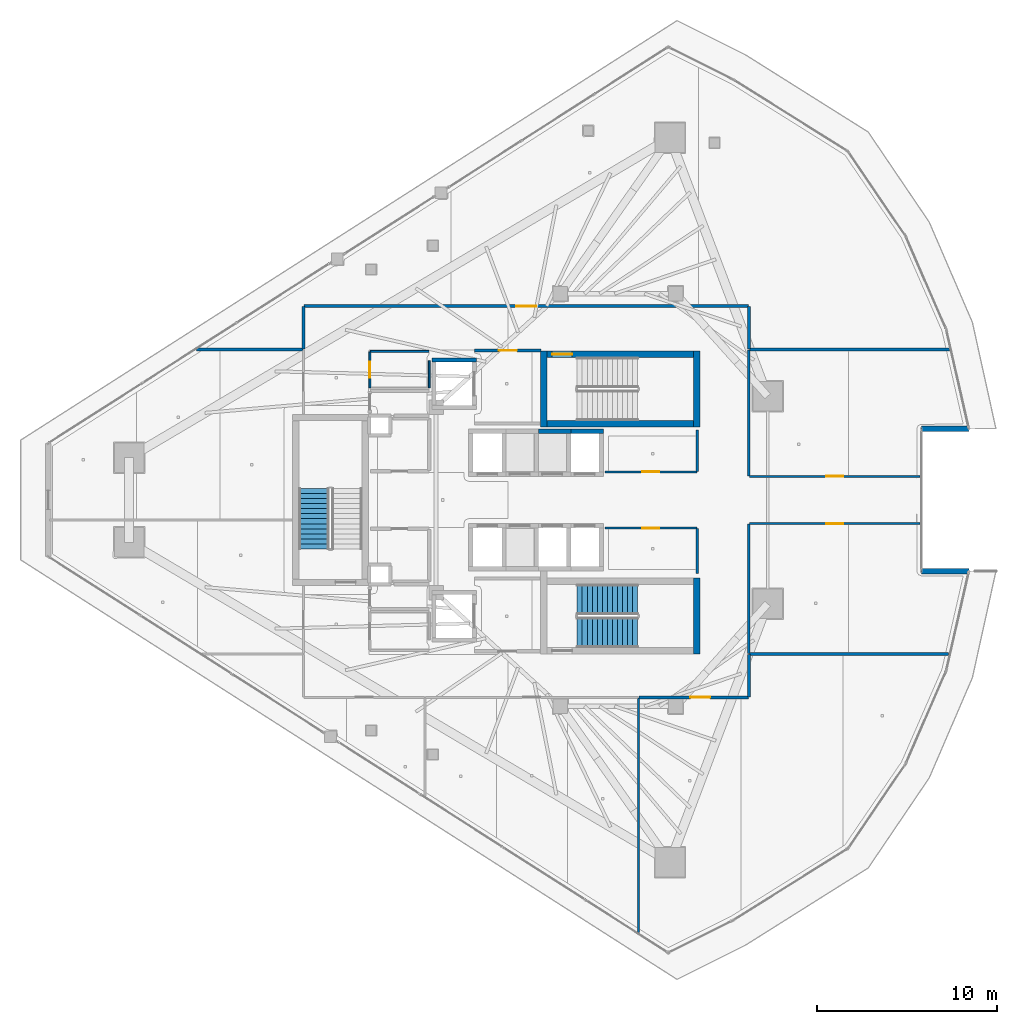
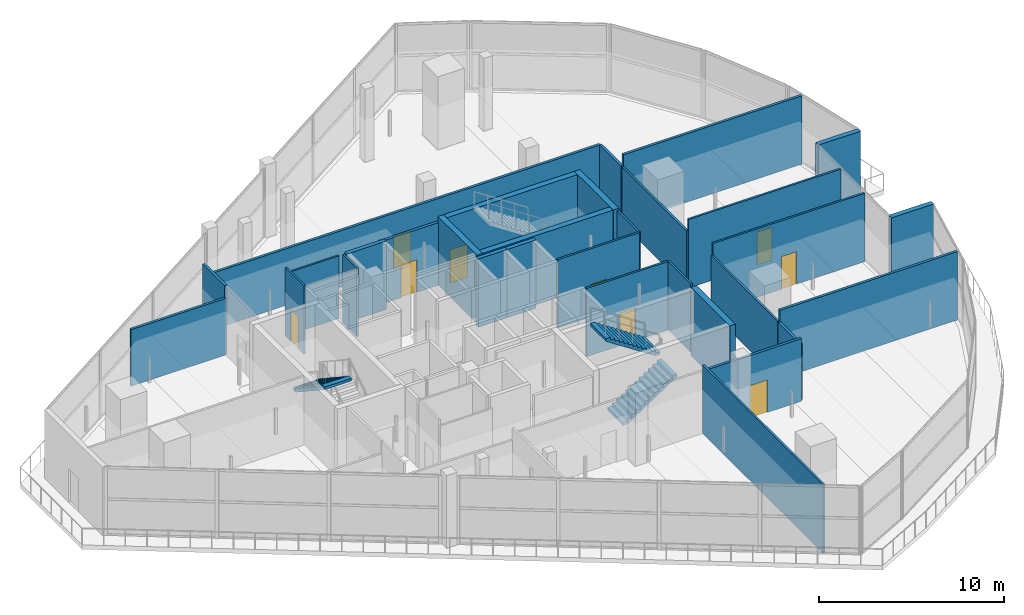
# One storey, part 27 of 36: 31 walls, 9 doors, 3 stair flights, 9 openings, 2 elements without a shape of their own.
"""IFC4 building model written with IfcOpenShell, lengths in metres."""

from ifc_helpers import new_model, si_unit, direction, frame, frame_2d, origin, place, context, subcontext, project, spatial, polyline, rectangle, outline, extrude, material, layer, layer_set, type_object, element, fill, aggregate, save


model = new_model("IFC4")

# Units and contexts
model_context = context("Model", 3, precision=1e-05, world=origin(), true_north=direction((0.0, 1.0)))
body_context = subcontext(model_context, "Body", "Model", "MODEL_VIEW")
ifc_project = project(units=[si_unit("LENGTHUNIT", "METRE"), si_unit("AREAUNIT", "SQUARE_METRE"), si_unit("VOLUMEUNIT", "CUBIC_METRE"), si_unit("PLANEANGLEUNIT", "RADIAN"), si_unit("MASSUNIT", "GRAM", prefix="KILO")], contexts=[model_context])

# Site, building, storey
site_placement = place(None, origin())
site = spatial("IfcSite", under=ifc_project, at=site_placement, CompositionType="ELEMENT")
building_placement = place(site_placement, origin())
building = spatial("IfcBuilding", under=site, at=building_placement, Name="Qorvath Tower", CompositionType="ELEMENT")
storey_placement = place(building_placement, frame((0.0, 0.0, 255.0)))
storey = spatial("IfcBuildingStorey", under=building, at=storey_placement, Name="L59", CompositionType="ELEMENT", Elevation=255.0)

# Wall, opening, door
ifc_material_1 = material(Name="Gypsum shaftliner on steel studs", Category="steel")
ifc_layer_1 = layer(ifc_material_1, 0.179931640625)
ifc_layer_set_1 = layer_set([ifc_layer_1], Name="FW-LOBBY")
wall_type_1 = type_object("IfcWallType", Name="FW-LOBBY", PredefinedType="PARTITIONING", material=ifc_layer_set_1)
wall_1_placement = place(storey_placement, frame((-24.68408203125, 8.300048828125, 0.0), z_axis=(0.0, 0.0, 1.0), x_axis=(-1.0, 0.0, 0.0)))
wall_1 = element("IfcWall", 1, at=wall_1_placement, inside=storey, type_object=wall_type_1, Name="Interior Partition IW-T1-L59-002", PredefinedType="PARTITIONING", context=body_context, shape_type="SweptSolid", body=[
    extrude(rectangle(XDim=3.6708984375, YDim=0.179931640625, at=frame_2d((1.83544921875, 0.0))), origin(), (0.0, 0.0, 1.0), 4.12890625),
])
opening_1_placement = place(wall_1_placement, frame((1.33544921875, 0.0, 0.0)))
opening_1 = element("IfcOpeningElement", 2, at=opening_1_placement, cuts=wall_1, Name="Opening D-T1-L59-17", PredefinedType="OPENING", context=body_context, shape_type="SweptSolid", body=[
    extrude(rectangle(XDim=1.0, YDim=2.14990234375, at=frame_2d((0.5, 1.074951171875))), frame((0.0, 0.10009765625, 0.0), z_axis=(0.0, -1.0, 0.0), x_axis=(1.0, 0.0, 0.0)), (0.0, 0.0, 1.0), 0.199951171875),
])
ifc_material_2 = material(Name="Painted galvanised hollow metal", Category="steel")
door_type_1 = type_object("IfcDoorType", Name="FD-60", OperationType="NOTDEFINED", PredefinedType="DOOR", material=ifc_material_2)
door_1_placement = place(opening_1_placement, origin())
door_1 = element("IfcDoor", 3, at=door_1_placement, inside=storey, type_object=door_type_1, Name="Lobby Fire Service Elevator North Door D-T1-L59-17", OperationType="SINGLE_SWING_LEFT", OverallHeight=2.14990234375, OverallWidth=1.0, PredefinedType="DOOR", context=body_context, shape_type="SweptSolid", body=[
    extrude(rectangle(XDim=1.0, YDim=2.14990234375, at=frame_2d((0.5, 1.074951171875))), frame((0.0, 0.02490234375, 0.0), z_axis=(0.0, -1.0, 0.0), x_axis=(1.0, 0.0, 0.0)), (0.0, 0.0, 1.0), 0.050048828125),
])
fill(opening_1, door_1)

# Walls
ifc_material_3 = material(Name="Double acoustic gypsum board on steel studs", Category="steel")
ifc_layer_2 = layer(ifc_material_3, 0.159912109375)
ifc_layer_set_2 = layer_set([ifc_layer_2], Name="IW-ACOUSTIC-160")
wall_type_2 = type_object("IfcWallType", Name="IW-ACOUSTIC-160", PredefinedType="PARTITIONING", material=ifc_layer_set_2)
wall_2_placement = place(storey_placement, frame((-43.807861328125, 8.35009765625, 0.0), z_axis=(0.0, 0.0, 1.0), x_axis=(1.0, 0.0, 0.0)))
element("IfcWall", 4, at=wall_2_placement, inside=storey, type_object=wall_type_2, Name="Interior Partition IW-T1-L59-029", PredefinedType="PARTITIONING", context=body_context, shape_type="SweptSolid", body=[
    extrude(rectangle(XDim=5.925048828125, YDim=0.159912109375, at=frame_2d((2.96240234375, 0.0))), origin(), (0.0, 0.0, 1.0), 3.72998046875),
])
wall_3_placement = place(storey_placement, frame((-37.85791015625, 10.733154296875, 0.0), z_axis=(0.0, 0.0, 1.0), x_axis=(0.0, -1.0, 0.0)))
element("IfcWall", 5, at=wall_3_placement, inside=storey, type_object=wall_type_2, Name="Interior Partition IW-T1-L59-030", PredefinedType="PARTITIONING", context=body_context, shape_type="SweptSolid", body=[
    extrude(rectangle(XDim=2.358154296875, YDim=0.159912109375, at=frame_2d((1.17919921875, 0.0))), origin(), (0.0, 0.0, 1.0), 4.510009765625),
])

# Wall, opening, door
wall_4_placement = place(storey_placement, frame((-37.8330078125, 10.758056640625, 0.0), z_axis=(0.0, 0.0, 1.0), x_axis=(1.0, 0.0, 0.0)))
wall_4 = element("IfcWall", 6, at=wall_4_placement, inside=storey, type_object=wall_type_2, Name="Interior Partition IW-T1-L59-031", PredefinedType="PARTITIONING", context=body_context, shape_type="SweptSolid", body=[
    extrude(rectangle(XDim=24.666015625, YDim=0.159912109375, at=frame_2d((12.3330078125, 0.0))), origin(), (0.0, 0.0, 1.0), 3.72998046875),
])
opening_2_placement = place(wall_4_placement, frame((11.782958984375, 0.0, 0.0)))
opening_2 = element("IfcOpeningElement", 7, at=opening_2_placement, cuts=wall_4, Name="Opening D-T1-L59-07", PredefinedType="OPENING", context=body_context, shape_type="SweptSolid", body=[
    extrude(rectangle(XDim=1.10009765625, YDim=2.14990234375, at=frame_2d((0.550048828125, 1.074951171875))), frame((0.0, 0.08984375, 0.0), z_axis=(0.0, -1.0, 0.0), x_axis=(1.0, 0.0, 0.0)), (0.0, 0.0, 1.0), 0.179931640625),
])
ifc_material_4 = material(Name="Anodised aluminium acoustic framed glass", Category="aluminium")
door_type_2 = type_object("IfcDoorType", Name="D-03", OperationType="NOTDEFINED", PredefinedType="DOOR", material=ifc_material_4)
door_2_placement = place(opening_2_placement, origin())
door_2 = element("IfcDoor", 8, at=door_2_placement, inside=storey, type_object=door_type_2, Name="L59-01 Sky Enclosed Conference Suite Door D-T1-L59-07", OperationType="SINGLE_SWING_LEFT", OverallHeight=2.14990234375, OverallWidth=1.10009765625, PredefinedType="DOOR", context=body_context, shape_type="SweptSolid", body=[
    extrude(rectangle(XDim=1.10009765625, YDim=2.14990234375, at=frame_2d((0.550048828125, 1.074951171875))), frame((0.0, 0.02490234375, 0.0), z_axis=(0.0, -1.0, 0.0), x_axis=(1.0, 0.0, 0.0)), (0.0, 0.0, 1.0), 0.050048828125),
])
fill(opening_2, door_2)

# Walls
wall_5_placement = place(storey_placement, frame((-13.14208984375, 8.375, 0.0), z_axis=(0.0, 0.0, 1.0), x_axis=(0.0, 1.0, 0.0)))
element("IfcWall", 9, at=wall_5_placement, inside=storey, type_object=wall_type_2, Name="Interior Partition IW-T1-L59-032", PredefinedType="PARTITIONING", context=body_context, shape_type="SweptSolid", body=[
    extrude(rectangle(XDim=2.358154296875, YDim=0.159912109375, at=frame_2d((1.17919921875, 0.0))), origin(), (0.0, 0.0, 1.0), 3.72998046875),
])
wall_6_placement = place(storey_placement, frame((-13.1171875, 8.35009765625, 0.0), z_axis=(0.0, 0.0, 1.0), x_axis=(1.0, 0.0, 0.0)))
element("IfcWall", 10, at=wall_6_placement, inside=storey, type_object=wall_type_2, Name="Interior Partition IW-T1-L59-033", PredefinedType="PARTITIONING", context=body_context, shape_type="SweptSolid", body=[
    extrude(rectangle(XDim=11.112548828125, YDim=0.159912109375, at=frame_2d((5.55615234375, 0.0))), origin(), (0.0, 0.0, 1.0), 4.510009765625),
])
wall_7_placement = place(storey_placement, frame((-2.05029296875, -8.550048828125, 0.0), z_axis=(0.0, 0.0, 1.0), x_axis=(-1.0, 0.0, 0.0)))
element("IfcWall", 11, at=wall_7_placement, inside=storey, type_object=wall_type_2, Name="Interior Partition IW-T1-L59-040", PredefinedType="PARTITIONING", context=body_context, shape_type="SweptSolid", body=[
    extrude(rectangle(XDim=11.06689453125, YDim=0.159912109375, at=frame_2d((5.533447265625, 0.0))), origin(), (0.0, 0.0, 1.0), 4.510009765625),
])
wall_8_placement = place(storey_placement, frame((-13.14208984375, -8.574951171875, 0.0), z_axis=(0.0, 0.0, 1.0), x_axis=(0.0, -1.0, 0.0)))
element("IfcWall", 12, at=wall_8_placement, inside=storey, type_object=wall_type_2, Name="Interior Partition IW-T1-L59-041", PredefinedType="PARTITIONING", context=body_context, shape_type="SweptSolid", body=[
    extrude(rectangle(XDim=2.358154296875, YDim=0.159912109375, at=frame_2d((1.17919921875, 0.0))), origin(), (0.0, 0.0, 1.0), 3.72998046875),
])

# Wall, opening, door
wall_9_placement = place(storey_placement, frame((-13.1669921875, -10.9580078125, 0.0), z_axis=(0.0, 0.0, 1.0), x_axis=(-1.0, 0.0, 0.0)))
wall_9 = element("IfcWall", 13, at=wall_9_placement, inside=storey, type_object=wall_type_2, Name="Interior Partition IW-T1-L59-042", PredefinedType="PARTITIONING", context=body_context, shape_type="SweptSolid", body=[
    extrude(rectangle(XDim=6.060791015625, YDim=0.159912109375, at=frame_2d((3.0302734375, 0.0))), origin(), (0.0, 0.0, 1.0), 4.12890625),
])
opening_3_placement = place(wall_9_placement, frame((2.1259765625, 0.0, 0.0)))
opening_3 = element("IfcOpeningElement", 14, at=opening_3_placement, cuts=wall_9, Name="Opening D-T1-L59-10", PredefinedType="OPENING", context=body_context, shape_type="SweptSolid", body=[
    extrude(rectangle(XDim=1.10009765625, YDim=2.14990234375, at=frame_2d((0.550048828125, 1.074951171875))), frame((0.0, 0.08984375, 0.0), z_axis=(0.0, -1.0, 0.0), x_axis=(1.0, 0.0, 0.0)), (0.0, 0.0, 1.0), 0.179931640625),
])
door_3_placement = place(opening_3_placement, origin())
door_3 = element("IfcDoor", 15, at=door_3_placement, inside=storey, type_object=door_type_2, Name="L59-04 Sky Client Services Office Door D-T1-L59-10", OperationType="SINGLE_SWING_RIGHT", OverallHeight=2.14990234375, OverallWidth=1.10009765625, PredefinedType="DOOR", context=body_context, shape_type="SweptSolid", body=[
    extrude(rectangle(XDim=1.10009765625, YDim=2.14990234375, at=frame_2d((0.550048828125, 1.074951171875))), frame((0.0, 0.02490234375, 0.0), z_axis=(0.0, -1.0, 0.0), x_axis=(1.0, 0.0, 0.0)), (0.0, 0.0, 1.0), 0.050048828125),
])
fill(opening_3, door_3)

ifc_material_5 = material(Name="Gypsum board on metal studs with mineral wool", Category="gypsum")
ifc_layer_3 = layer(ifc_material_5, 0.125)
ifc_layer_set_3 = layer_set([ifc_layer_3], Name="IW-PART-125")
wall_type_3 = type_object("IfcWallType", Name="IW-PART-125", PredefinedType="PARTITIONING", material=ifc_layer_set_3)
wall_10_placement = place(storey_placement, frame((-21.1337890625, 1.56005859375, 0.0), z_axis=(0.0, 0.0, 1.0), x_axis=(1.0, 0.0, 0.0)))
wall_10 = element("IfcWall", 16, at=wall_10_placement, inside=storey, type_object=wall_type_3, Name="Interior Partition IW-T1-L59-013", PredefinedType="PARTITIONING", context=body_context, shape_type="SweptSolid", body=[
    extrude(rectangle(XDim=5.10888671875, YDim=0.125, at=frame_2d((2.554443359375, 0.0))), origin(), (0.0, 0.0, 1.0), 4.510009765625),
])
opening_4_placement = place(wall_10_placement, frame((2.079345703125, 0.0, 0.0)))
opening_4 = element("IfcOpeningElement", 17, at=opening_4_placement, cuts=wall_10, Name="Opening D-T1-L59-03", PredefinedType="OPENING", context=body_context, shape_type="SweptSolid", body=[
    extrude(rectangle(XDim=0.949951171875, YDim=2.14990234375, at=frame_2d((0.47509765625, 1.074951171875))), frame((0.0, 0.072509765625, 0.0), z_axis=(0.0, -1.0, 0.0), x_axis=(1.0, 0.0, 0.0)), (0.0, 0.0, 1.0), 0.14501953125),
])
ifc_material_6 = material(Name="Solid-core American white oak veneer", Category="wood")
door_type_3 = type_object("IfcDoorType", Name="D-01", OperationType="NOTDEFINED", PredefinedType="DOOR", material=ifc_material_6)
door_4_placement = place(opening_4_placement, origin())
door_4 = element("IfcDoor", 18, at=door_4_placement, inside=storey, type_object=door_type_3, Name="L59-RCN North Quantitative Server Suite Door D-T1-L59-03", OperationType="SINGLE_SWING_LEFT", OverallHeight=2.14990234375, OverallWidth=0.949951171875, PredefinedType="DOOR", context=body_context, shape_type="SweptSolid", body=[
    extrude(rectangle(XDim=0.949951171875, YDim=2.14990234375, at=frame_2d((0.47509765625, 1.074951171875))), frame((0.0, 0.02490234375, 0.0), z_axis=(0.0, -1.0, 0.0), x_axis=(1.0, 0.0, 0.0)), (0.0, 0.0, 1.0), 0.050048828125),
])
fill(opening_4, door_4)

# Walls
wall_11_placement = place(storey_placement, frame((-16.0, 1.585205078125, 0.0), z_axis=(0.0, 0.0, 1.0), x_axis=(0.0, 1.0, 0.0)))
element("IfcWall", 19, at=wall_11_placement, inside=storey, type_object=wall_type_3, Name="Interior Partition IW-T1-L59-014", PredefinedType="PARTITIONING", context=body_context, shape_type="SweptSolid", body=[
    extrude(rectangle(XDim=2.30224609375, YDim=0.125, at=frame_2d((1.151123046875, 0.0))), origin(), (0.0, 0.0, 1.0), 4.510009765625),
])
wall_12_placement = place(storey_placement, frame((-16.0, -4.0751953125, 0.0), z_axis=(0.0, 0.0, 1.0), x_axis=(0.0, 1.0, 0.0)))
element("IfcWall", 20, at=wall_12_placement, inside=storey, type_object=wall_type_3, Name="Interior Partition IW-T1-L59-015", PredefinedType="PARTITIONING", context=body_context, shape_type="SweptSolid", body=[
    extrude(rectangle(XDim=2.489990234375, YDim=0.125, at=frame_2d((1.2451171875, 0.0))), origin(), (0.0, 0.0, 1.0), 4.510009765625),
])

# Wall, opening, door
wall_13_placement = place(storey_placement, frame((-16.02490234375, -1.56005859375, 0.0), z_axis=(0.0, 0.0, 1.0), x_axis=(-1.0, 0.0, 0.0)))
wall_13 = element("IfcWall", 21, at=wall_13_placement, inside=storey, type_object=wall_type_3, Name="Interior Partition IW-T1-L59-016", PredefinedType="PARTITIONING", context=body_context, shape_type="SweptSolid", body=[
    extrude(rectangle(XDim=5.10888671875, YDim=0.125, at=frame_2d((2.554443359375, 0.0))), origin(), (0.0, 0.0, 1.0), 4.510009765625),
])
opening_5_placement = place(wall_13_placement, frame((2.079345703125, 0.0, 0.0)))
opening_5 = element("IfcOpeningElement", 22, at=opening_5_placement, cuts=wall_13, Name="Opening D-T1-L59-04", PredefinedType="OPENING", context=body_context, shape_type="SweptSolid", body=[
    extrude(rectangle(XDim=0.949951171875, YDim=2.14990234375, at=frame_2d((0.47509765625, 1.074951171875))), frame((0.0, 0.072509765625, 0.0), z_axis=(0.0, -1.0, 0.0), x_axis=(1.0, 0.0, 0.0)), (0.0, 0.0, 1.0), 0.14501953125),
])
door_5_placement = place(opening_5_placement, origin())
door_5 = element("IfcDoor", 23, at=door_5_placement, inside=storey, type_object=door_type_3, Name="L59-RCS South Quantitative Server Suite Door D-T1-L59-04", OperationType="SINGLE_SWING_RIGHT", OverallHeight=2.14990234375, OverallWidth=0.949951171875, PredefinedType="DOOR", context=body_context, shape_type="SweptSolid", body=[
    extrude(rectangle(XDim=0.949951171875, YDim=2.14990234375, at=frame_2d((0.47509765625, 1.074951171875))), frame((0.0, 0.02490234375, 0.0), z_axis=(0.0, -1.0, 0.0), x_axis=(1.0, 0.0, 0.0)), (0.0, 0.0, 1.0), 0.050048828125),
])
fill(opening_5, door_5)

# Wall
wall_14_placement = place(storey_placement, frame((-19.2607421875, -24.010009765625, 0.0), z_axis=(0.0, 0.0, 1.0), x_axis=(0.0, 1.0, 0.0)))
element("IfcWall", 24, at=wall_14_placement, inside=storey, type_object=wall_type_3, Name="Interior Partition IW-T1-L59-039", PredefinedType="PARTITIONING", context=body_context, shape_type="SweptSolid", body=[
    extrude(rectangle(XDim=13.027099609375, YDim=0.125, at=frame_2d((6.513671875, 0.0))), origin(), (0.0, 0.0, 1.0), 4.510009765625),
])

# Wall, opening, door
wall_15_placement = place(storey_placement, frame((-3.636962890625, -1.30810546875, 0.0), z_axis=(0.0, 0.0, 1.0), x_axis=(-1.0, 0.0, 0.0)))
wall_15 = element("IfcWall", 25, at=wall_15_placement, inside=storey, type_object=wall_type_3, Name="Interior Partition IW-T1-L59-043", PredefinedType="PARTITIONING", context=body_context, shape_type="SweptSolid", body=[
    extrude(rectangle(XDim=9.480224609375, YDim=0.125, at=frame_2d((4.740234375, 0.0))), origin(), (0.0, 0.0, 1.0), 4.510009765625),
])
opening_6_placement = place(wall_15_placement, frame((4.26513671875, 0.0, 0.0)))
opening_6 = element("IfcOpeningElement", 26, at=opening_6_placement, cuts=wall_15, Name="Opening D-T1-L59-11", PredefinedType="OPENING", context=body_context, shape_type="SweptSolid", body=[
    extrude(rectangle(XDim=0.949951171875, YDim=2.14990234375, at=frame_2d((0.47509765625, 1.074951171875))), frame((0.0, 0.072509765625, 0.0), z_axis=(0.0, -1.0, 0.0), x_axis=(1.0, 0.0, 0.0)), (0.0, 0.0, 1.0), 0.14501953125),
])
door_6_placement = place(opening_6_placement, origin())
door_6 = element("IfcDoor", 27, at=door_6_placement, inside=storey, type_object=door_type_3, Name="L59-05 Sky Project Collaboration Workspace Door D-T1-L59-11", OperationType="SINGLE_SWING_LEFT", OverallHeight=2.14990234375, OverallWidth=0.949951171875, PredefinedType="DOOR", context=body_context, shape_type="SweptSolid", body=[
    extrude(rectangle(XDim=0.949951171875, YDim=2.14990234375, at=frame_2d((0.47509765625, 1.074951171875))), frame((0.0, 0.02490234375, 0.0), z_axis=(0.0, -1.0, 0.0), x_axis=(1.0, 0.0, 0.0)), (0.0, 0.0, 1.0), 0.050048828125),
])
fill(opening_6, door_6)

# Walls
wall_16_placement = place(storey_placement, frame((-13.14208984375, -1.3330078125, 0.0), z_axis=(0.0, 0.0, 1.0), x_axis=(0.0, -1.0, 0.0)))
element("IfcWall", 28, at=wall_16_placement, inside=storey, type_object=wall_type_3, Name="Interior Partition IW-T1-L59-044", PredefinedType="PARTITIONING", context=body_context, shape_type="SweptSolid", body=[
    extrude(rectangle(XDim=7.18408203125, YDim=0.125, at=frame_2d((3.592041015625, 0.0))), origin(), (0.0, 0.0, 1.0), 3.72998046875),
])
wall_17_placement = place(storey_placement, frame((-13.14208984375, 8.31689453125, 0.0), z_axis=(0.0, 0.0, 1.0), x_axis=(0.0, -1.0, 0.0)))
element("IfcWall", 29, at=wall_17_placement, inside=storey, type_object=wall_type_3, Name="Interior Partition IW-T1-L59-045", PredefinedType="PARTITIONING", context=body_context, shape_type="SweptSolid", body=[
    extrude(rectangle(XDim=6.98388671875, YDim=0.125, at=frame_2d((3.491943359375, 0.0))), origin(), (0.0, 0.0, 1.0), 3.72998046875),
])

# Wall, opening, door
wall_18_placement = place(storey_placement, frame((-13.1171875, 1.30810546875, 0.0), z_axis=(0.0, 0.0, 1.0), x_axis=(1.0, 0.0, 0.0)))
wall_18 = element("IfcWall", 30, at=wall_18_placement, inside=storey, type_object=wall_type_3, Name="Interior Partition IW-T1-L59-046", PredefinedType="PARTITIONING", context=body_context, shape_type="SweptSolid", body=[
    extrude(rectangle(XDim=9.480224609375, YDim=0.125, at=frame_2d((4.740234375, 0.0))), origin(), (0.0, 0.0, 1.0), 4.510009765625),
])
opening_7_placement = place(wall_18_placement, frame((4.26513671875, 0.0, 0.0)))
opening_7 = element("IfcOpeningElement", 31, at=opening_7_placement, cuts=wall_18, Name="Opening D-T1-L59-12", PredefinedType="OPENING", context=body_context, shape_type="SweptSolid", body=[
    extrude(rectangle(XDim=0.949951171875, YDim=2.14990234375, at=frame_2d((0.47509765625, 1.074951171875))), frame((0.0, 0.072509765625, 0.0), z_axis=(0.0, -1.0, 0.0), x_axis=(1.0, 0.0, 0.0)), (0.0, 0.0, 1.0), 0.14501953125),
])
door_7_placement = place(opening_7_placement, origin())
door_7 = element("IfcDoor", 32, at=door_7_placement, inside=storey, type_object=door_type_3, Name="L59-06 Sky Staff Wellness Studio Door D-T1-L59-12", OperationType="SINGLE_SWING_RIGHT", OverallHeight=2.14990234375, OverallWidth=0.949951171875, PredefinedType="DOOR", context=body_context, shape_type="SweptSolid", body=[
    extrude(rectangle(XDim=0.949951171875, YDim=2.14990234375, at=frame_2d((0.47509765625, 1.074951171875))), frame((0.0, 0.02490234375, 0.0), z_axis=(0.0, -1.0, 0.0), x_axis=(1.0, 0.0, 0.0)), (0.0, 0.0, 1.0), 0.050048828125),
])
fill(opening_7, door_7)

ifc_material_7 = material(Name="Moisture-resistant cement board on metal studs", Category="gypsum")
ifc_layer_4 = layer(ifc_material_7, 0.110107421875)
ifc_layer_set_4 = layer_set([ifc_layer_4], Name="IW-WC-110")
wall_type_4 = type_object("IfcWallType", Name="IW-WC-110", PredefinedType="PARTITIONING", material=ifc_layer_set_4)
wall_19_placement = place(storey_placement, frame((-34.179931640625, 8.22509765625, 0.0), z_axis=(0.0, 0.0, 1.0), x_axis=(0.0, -1.0, 0.0)))
wall_19 = element("IfcWall", 33, at=wall_19_placement, inside=storey, type_object=wall_type_4, Name="Interior Partition IW-T1-L59-005", PredefinedType="PARTITIONING", context=body_context, shape_type="SweptSolid", body=[
    extrude(rectangle(XDim=2.0, YDim=0.110107421875, at=frame_2d((1.0, 0.0))), origin(), (0.0, 0.0, 1.0), 4.510009765625),
])
opening_8_placement = place(wall_19_placement, frame((0.56005859375, 0.0, 0.0)))
opening_8 = element("IfcOpeningElement", 34, at=opening_8_placement, cuts=wall_19, Name="Opening D-T1-L59-01", PredefinedType="OPENING", context=body_context, shape_type="SweptSolid", body=[
    extrude(rectangle(XDim=0.8798828125, YDim=2.10009765625, at=frame_2d((0.43994140625, 1.050048828125))), frame((0.0, 0.06494140625, 0.0), z_axis=(0.0, -1.0, 0.0), x_axis=(1.0, 0.0, 0.0)), (0.0, 0.0, 1.0), 0.130126953125),
])
ifc_material_8 = material(Name="Solid-core oak with acoustic drop seal", Category="wood")
door_type_4 = type_object("IfcDoorType", Name="D-02", OperationType="NOTDEFINED", PredefinedType="DOOR", material=ifc_material_8)
door_8_placement = place(opening_8_placement, origin())
door_8 = element("IfcDoor", 35, at=door_8_placement, inside=storey, type_object=door_type_4, Name="WC All-Gender North L59 Door D-T1-L59-01", OperationType="SINGLE_SWING_LEFT", OverallHeight=2.10009765625, OverallWidth=0.8798828125, PredefinedType="DOOR", context=body_context, shape_type="SweptSolid", body=[
    extrude(rectangle(XDim=0.8798828125, YDim=2.10009765625, at=frame_2d((0.43994140625, 1.050048828125))), frame((0.0, 0.02490234375, 0.0), z_axis=(0.0, -1.0, 0.0), x_axis=(1.0, 0.0, 0.0)), (0.0, 0.0, 1.0), 0.050048828125),
])
fill(opening_8, door_8)

# Walls
wall_20_placement = place(storey_placement, frame((-30.8798828125, 6.22509765625, 0.0), z_axis=(0.0, 0.0, 1.0), x_axis=(0.0, 1.0, 0.0)))
element("IfcWall", 36, at=wall_20_placement, inside=storey, type_object=wall_type_4, Name="Interior Partition IW-T1-L59-007", PredefinedType="PARTITIONING", context=body_context, shape_type="SweptSolid", body=[
    extrude(rectangle(XDim=1.517822265625, YDim=0.110107421875, at=frame_2d((0.7587890625, 0.0))), origin(), (0.0, 0.0, 1.0), 4.510009765625),
])
wall_21_placement = place(storey_placement, frame((-30.90478515625, 8.25, 0.0), z_axis=(0.0, 0.0, 1.0), x_axis=(-1.0, 0.0, 0.0)))
element("IfcWall", 37, at=wall_21_placement, inside=storey, type_object=wall_type_4, Name="Interior Partition IW-T1-L59-008", PredefinedType="PARTITIONING", context=body_context, shape_type="SweptSolid", body=[
    extrude(rectangle(XDim=3.25, YDim=0.110107421875, at=frame_2d((1.625, 0.0))), origin(), (0.0, 0.0, 1.0), 4.12890625),
])
ifc_material_9 = material(Name="Concrete C60/75", Category="concrete")
ifc_layer_5 = layer(ifc_material_9, 0.260009765625)
ifc_layer_set_5 = layer_set([ifc_layer_5], Name="SW-SHAFT")
wall_type_5 = type_object("IfcWallType", Name="SW-SHAFT", PredefinedType="SHEAR", material=ifc_layer_set_5)
wall_22_placement = place(storey_placement, frame((-30.739990234375, 7.77001953125, 0.0), z_axis=(0.0, 0.0, 1.0), x_axis=(1.0, 0.0, 0.0)))
element("IfcWall", 38, at=wall_22_placement, inside=storey, type_object=wall_type_5, Name="Hoistway Wall FSAE-1 L59 N", PredefinedType="SHEAR", context=body_context, shape_type="SweptSolid", body=[
    extrude(rectangle(XDim=2.47998046875, YDim=0.239990234375, at=frame_2d((1.239990234375, 0.0))), origin(), (0.0, 0.0, 1.0), 4.510009765625),
])
for number, where, z_axis, x_axis, name in (
    (39, (-24.81005859375, 3.820068359375, 0.0), (0.0, 0.0, 1.0), (1.0, 0.0, 0.0), "Hoistway Wall PH-2 L59 N"),
    (40, (-23.010009765625, 3.820068359375, 0.0), (0.0, 0.0, 1.0), (1.0, 0.0, 0.0), "Hoistway Wall PU-1 L59 N"),
):
    element("IfcWall", number, at=place(storey_placement, frame(where, z_axis=z_axis, x_axis=x_axis)), inside=storey, type_object=wall_type_5, Name=name, PredefinedType="SHEAR", context=body_context, shape_type="SweptSolid", body=[
        extrude(rectangle(XDim=1.800048828125, YDim=0.239990234375, at=frame_2d((0.89990234375, 0.0))), origin(), (0.0, 0.0, 1.0), 4.510009765625),
    ])
ifc_material_10 = material(Name="Concrete C60/75", Category="concrete")
ifc_layer_6 = layer(ifc_material_10, 0.35009765625)
ifc_layer_set_6 = layer_set([ifc_layer_6], Name="SW-STAIR")
wall_type_6 = type_object("IfcWallType", Name="SW-STAIR", PredefinedType="SHEAR", material=ifc_layer_set_6)
for number, where, z_axis, x_axis, name in (
    (41, (-24.52490234375, 8.260009765625, 0.0), (0.0, 0.0, 1.0), (0.0, -1.0, 0.0), "Stair TS1 Shear Wall L59 NEAR"),
    (42, (-16.02490234375, 4.050048828125, 0.0), (0.0, 0.0, 1.0), (0.0, 1.0, 0.0), "Stair TS1 Shear Wall L59 FAR"),
):
    element("IfcWall", number, at=place(storey_placement, frame(where, z_axis=z_axis, x_axis=x_axis)), inside=storey, type_object=wall_type_6, Name=name, PredefinedType="SHEAR", context=body_context, shape_type="SweptSolid", body=[
        extrude(rectangle(XDim=4.2099609375, YDim=0.35009765625, at=frame_2d((2.10498046875, 0.0))), origin(), (0.0, 0.0, 1.0), 4.510009765625),
    ])
wall_23_placement = place(storey_placement, frame((-24.3349609375, 4.22509765625, 0.0), z_axis=(0.0, 0.0, 1.0), x_axis=(1.0, 0.0, 0.0)))
element("IfcWall", 43, at=wall_23_placement, inside=storey, type_object=wall_type_6, Name="Stair TS1 Shear Wall L59 LEFT", PredefinedType="SHEAR", context=body_context, shape_type="SweptSolid", body=[
    extrude(rectangle(XDim=8.119873046875, YDim=0.35009765625, at=frame_2d((4.06005859375, 0.0))), origin(), (0.0, 0.0, 1.0), 4.510009765625),
])

# Wall, opening, door
wall_24_placement = place(storey_placement, frame((-16.215087890625, 8.0849609375, 0.0), z_axis=(0.0, 0.0, 1.0), x_axis=(-1.0, 0.0, 0.0)))
wall_24 = element("IfcWall", 44, at=wall_24_placement, inside=storey, type_object=wall_type_6, Name="Stair TS1 Shear Wall L59 RIGHT", PredefinedType="SHEAR", context=body_context, shape_type="SweptSolid", body=[
    extrude(rectangle(XDim=8.119873046875, YDim=0.35009765625, at=frame_2d((4.06005859375, 0.0))), origin(), (0.0, 0.0, 1.0), 4.510009765625),
])
opening_9_placement = place(wall_24_placement, frame((6.739990234375, 0.0, 0.0)))
opening_9 = element("IfcOpeningElement", 45, at=opening_9_placement, cuts=wall_24, Name="Opening D-TS1-L59", PredefinedType="OPENING", context=body_context, shape_type="SweptSolid", body=[
    extrude(rectangle(XDim=1.10009765625, YDim=2.199951171875, at=frame_2d((0.550048828125, 1.10009765625))), frame((0.0, 0.18505859375, 0.0), z_axis=(0.0, -1.0, 0.0), x_axis=(1.0, 0.0, 0.0)), (0.0, 0.0, 1.0), 0.3701171875),
])
ifc_material_11 = material(Name="Painted galvanised hollow metal", Category="steel")
door_type_5 = type_object("IfcDoorType", Name="FD-90", OperationType="NOTDEFINED", PredefinedType="DOOR", material=ifc_material_11)
door_9_placement = place(opening_9_placement, origin())
door_9 = element("IfcDoor", 46, at=door_9_placement, inside=storey, type_object=door_type_5, Name="Stair TS1 Fire Door L59", OperationType="SINGLE_SWING_RIGHT", OverallHeight=2.199951171875, OverallWidth=1.10009765625, PredefinedType="DOOR", context=body_context, shape_type="SweptSolid", body=[
    extrude(rectangle(XDim=1.10009765625, YDim=2.199951171875, at=frame_2d((0.550048828125, 1.10009765625))), frame((0.0, 0.02490234375, 0.0), z_axis=(0.0, -1.0, 0.0), x_axis=(1.0, 0.0, 0.0)), (0.0, 0.0, 1.0), 0.050048828125),
])
fill(opening_9, door_9)

# Walls
wall_25_placement = place(storey_placement, frame((-16.02490234375, -8.550048828125, 0.0), z_axis=(0.0, 0.0, 1.0), x_axis=(0.0, 1.0, 0.0)))
element("IfcWall", 47, at=wall_25_placement, inside=storey, type_object=wall_type_6, Name="Stair TS2 Shear Wall L59 FAR", PredefinedType="SHEAR", context=body_context, shape_type="SweptSolid", body=[
    extrude(rectangle(XDim=4.2099609375, YDim=0.35009765625, at=frame_2d((2.10498046875, 0.0))), origin(), (0.0, 0.0, 1.0), 4.510009765625),
])
ifc_material_12 = material(Name="Precast concrete C45/55", Category="concrete")
ifc_layer_7 = layer(ifc_material_12, 0.300048828125)
ifc_layer_set_7 = layer_set([ifc_layer_7], Name="WL-EW-LOG-300")
wall_type_7 = type_object("IfcWallType", Name="WL-EW-LOG-300", PredefinedType="SOLIDWALL", material=ifc_layer_set_7)
for number, where, z_axis, x_axis, name in (
    (48, (-0.921875, -3.952880859375, 0.0), (0.0, 0.0, 1.0), (-1.0, 0.0, 0.0), "Tower Precast Loggia Wall L59-8.1"),
    (49, (-3.556884765625, 3.952880859375, 0.0), (0.0, 0.0, 1.0), (1.0, 0.0, 0.0), "Tower Precast Loggia Wall L59-10.1"),
):
    element("IfcWall", number, at=place(storey_placement, frame(where, z_axis=z_axis, x_axis=x_axis)), inside=storey, type_object=wall_type_7, Name=name, PredefinedType="SOLIDWALL", context=body_context, shape_type="SweptSolid", body=[
        extrude(rectangle(XDim=2.635009765625, YDim=0.300048828125, at=frame_2d((1.3173828125, 0.0))), origin(), (0.0, 0.0, 1.0), 4.510009765625),
    ])

# Stair, stair flights
ifc_material_13 = material(Name="Concrete C50/60", Category="concrete")
stair_type = type_object("IfcStairType", Name="ST-H480", PredefinedType="HALF_TURN_STAIR", material=ifc_material_13)
stair_1_placement = place(storey_placement, origin())
stair_1 = element("IfcStair", 50, at=stair_1_placement, inside=storey, type_object=stair_type, Name="L59 Tower Exit Stair 2", PredefinedType="HALF_TURN_STAIR")
ifc_material_14 = material(Name="Concrete C50/60", Category="concrete")
ifc_layer_8 = layer(ifc_material_14, 0.14990234375)
ifc_layer_set_8 = layer_set([ifc_layer_8], Name="SF-H480")
stair_flight_type = type_object("IfcStairFlightType", Name="SF-H480", PredefinedType="STRAIGHT", material=ifc_layer_set_8)
stair_flight_1_placement = place(storey_placement, frame((-22.669921875, -7.360107421875, 0.0), z_axis=(0.0, 0.0, 1.0), x_axis=(1.0, 0.0, 0.0)))
stair_flight_1 = element("IfcStairFlight", 51, at=stair_flight_1_placement, type_object=stair_flight_type, Name="TS2 flight 1", NumberOfRisers=13, NumberOfTreads=12, PredefinedType="STRAIGHT", RiserHeight=0.184615385, TreadLength=0.28, context=body_context, shape_type="SweptSolid", body=[
    extrude(outline(polyline([(0.0, 0.0), (0.0, 0.1845703125), (0.280029296875, 0.1845703125), (0.280029296875, 0.369140625), (0.56005859375, 0.369140625), (0.56005859375, 0.553955078125), (0.840087890625, 0.553955078125), (0.840087890625, 0.738525390625), (1.1201171875, 0.738525390625), (1.1201171875, 0.923095703125), (1.39990234375, 0.923095703125), (1.39990234375, 1.107666015625), (1.679931640625, 1.107666015625), (1.679931640625, 1.292236328125), (1.9599609375, 1.292236328125), (1.9599609375, 1.476806640625), (2.239990234375, 1.476806640625), (2.239990234375, 1.66162109375), (2.52001953125, 1.66162109375), (2.52001953125, 1.84619140625), (2.800048828125, 1.84619140625), (2.800048828125, 2.03076171875), (3.080078125, 2.03076171875), (3.080078125, 2.21533203125), (3.360107421875, 2.21533203125), (3.360107421875, 2.39990234375), (3.360107421875, 2.035888671875), (0.272216796875, 0.0), (0.0, 0.0)])), frame((0.0, 0.83984375, 0.0), z_axis=(0.0, -1.0, 0.0), x_axis=(1.0, 0.0, 0.0)), (0.0, 0.0, 1.0), 1.679931640625),
])
stair_flight_2_placement = place(storey_placement, frame((-19.31005859375, -5.530029296875, 2.39990234375), z_axis=(0.0, 0.0, 1.0), x_axis=(-1.0, 0.0, 0.0)))
stair_flight_2 = element("IfcStairFlight", 52, at=stair_flight_2_placement, type_object=stair_flight_type, Name="TS2 flight 2", NumberOfRisers=13, NumberOfTreads=12, PredefinedType="STRAIGHT", RiserHeight=0.184615385, TreadLength=0.28, context=body_context, shape_type="SweptSolid", body=[
    extrude(outline(polyline([(0.0, 0.0), (0.0, 0.1845703125), (0.280029296875, 0.1845703125), (0.280029296875, 0.369140625), (0.56005859375, 0.369140625), (0.56005859375, 0.553955078125), (0.840087890625, 0.553955078125), (0.840087890625, 0.738525390625), (1.1201171875, 0.738525390625), (1.1201171875, 0.923095703125), (1.39990234375, 0.923095703125), (1.39990234375, 1.107666015625), (1.679931640625, 1.107666015625), (1.679931640625, 1.292236328125), (1.9599609375, 1.292236328125), (1.9599609375, 1.476806640625), (2.239990234375, 1.476806640625), (2.239990234375, 1.66162109375), (2.52001953125, 1.66162109375), (2.52001953125, 1.84619140625), (2.800048828125, 1.84619140625), (2.800048828125, 2.03076171875), (3.080078125, 2.03076171875), (3.080078125, 2.21533203125), (3.360107421875, 2.21533203125), (3.360107421875, 2.39990234375), (3.360107421875, 2.035888671875), (0.272216796875, 0.0), (0.0, 0.0)])), frame((0.0, 0.83984375, 0.0), z_axis=(0.0, -1.0, 0.0), x_axis=(1.0, 0.0, 0.0)), (0.0, 0.0, 1.0), 1.679931640625),
])
aggregate(stair_1, [stair_flight_1, stair_flight_2])

# Stair, stair flight
stair_2_placement = place(storey_placement, origin())
stair_2 = element("IfcStair", 53, at=stair_2_placement, inside=storey, type_object=stair_type, Name="L59 Tower Exit Stair 3", PredefinedType="HALF_TURN_STAIR")
stair_flight_3_placement = place(storey_placement, frame((-37.27001953125, 0.639892578125, 2.39990234375), z_axis=(0.0, 0.0, 1.0), x_axis=(0.0, -1.0, 0.0)))
stair_flight_3 = element("IfcStairFlight", 54, at=stair_flight_3_placement, type_object=stair_flight_type, Name="TS3 flight 2", NumberOfRisers=13, NumberOfTreads=12, PredefinedType="STRAIGHT", RiserHeight=0.184615385, TreadLength=0.28, context=body_context, shape_type="SweptSolid", body=[
    extrude(outline(polyline([(0.0, 0.0), (0.0, 0.1845703125), (0.280029296875, 0.1845703125), (0.280029296875, 0.369140625), (0.56005859375, 0.369140625), (0.56005859375, 0.553955078125), (0.840087890625, 0.553955078125), (0.840087890625, 0.738525390625), (1.1201171875, 0.738525390625), (1.1201171875, 0.923095703125), (1.39990234375, 0.923095703125), (1.39990234375, 1.107666015625), (1.679931640625, 1.107666015625), (1.679931640625, 1.292236328125), (1.9599609375, 1.292236328125), (1.9599609375, 1.476806640625), (2.239990234375, 1.476806640625), (2.239990234375, 1.66162109375), (2.52001953125, 1.66162109375), (2.52001953125, 1.84619140625), (2.800048828125, 1.84619140625), (2.800048828125, 2.03076171875), (3.080078125, 2.03076171875), (3.080078125, 2.21533203125), (3.360107421875, 2.21533203125), (3.360107421875, 2.39990234375), (3.360107421875, 2.035888671875), (0.272216796875, 0.0), (0.0, 0.0)])), frame((0.0, 0.83984375, 0.0), z_axis=(0.0, -1.0, 0.0), x_axis=(1.0, 0.0, 0.0)), (0.0, 0.0, 1.0), 1.679931640625),
])
aggregate(stair_2, [stair_flight_3])

save(model, "model.ifc")
